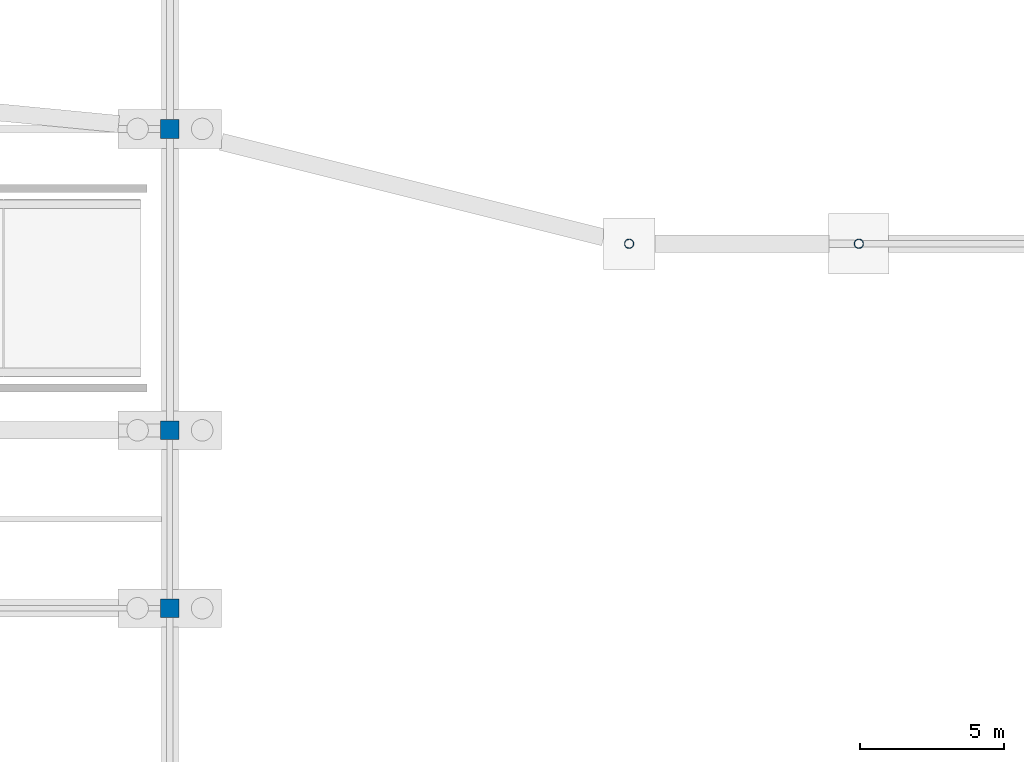
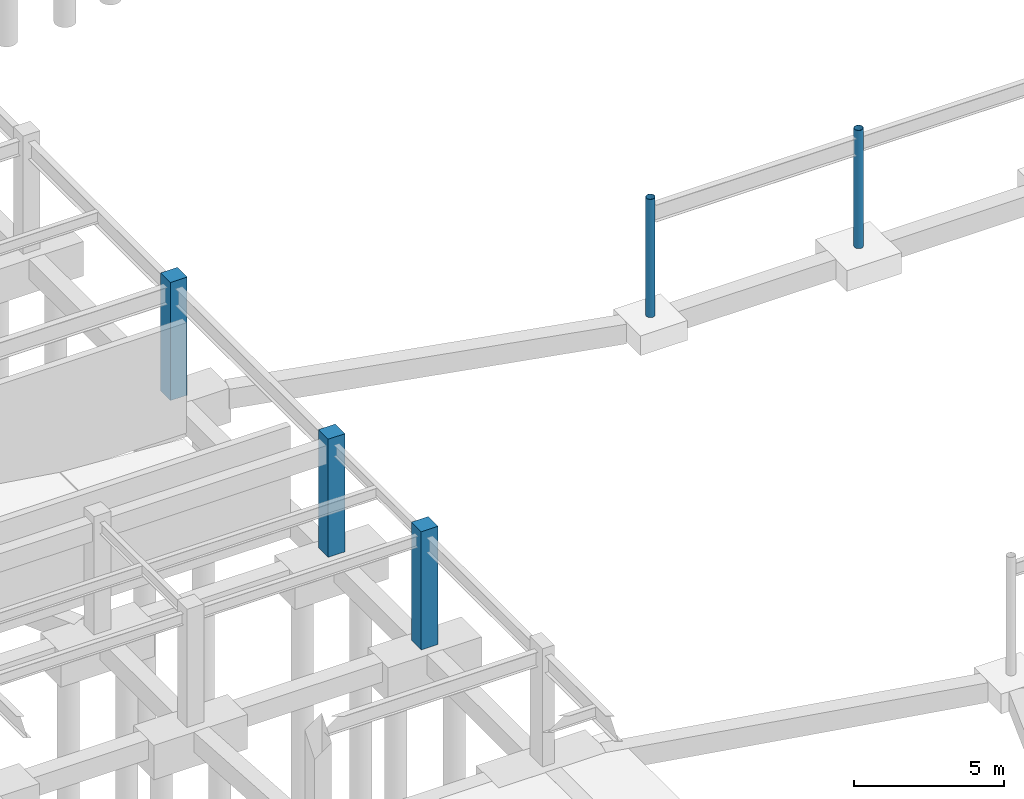
# One storey, part 11 of 68: 5 columns.
"""IFC4 building model written with IfcOpenShell, lengths in metres."""

import ifcopenshell
import ifcopenshell.guid

model = None  # the IFC model being written
_history = None  # IfcOwnerHistory: only IFC2X3 demands one
_inside = {}  # id of a spatial element -> (the spatial element, [elements in it])
_under = {}  # id of a project, library or spatial element -> (it, [spatial elements below it])
_declared = {}  # id of a project -> (the project, [libraries it declares])
_typed = {}  # id of a type object -> (the type object, [elements of that type])
_made_of = {}  # id of a material, layer set ... -> (it, [elements and type objects made of it])


def new_model(schema):
    """Start an empty IFC model of exactly this schema.

    Asked for "IFC4X3", IfcOpenShell would pick the latest addendum, in which some entities
    have other attributes; the version numbers below select the first issue.
    IFC2X3 requires an IfcOwnerHistory on every rooted entity: one is made here for all.
    """
    global model, _history
    if schema == "IFC4X3":
        model = ifcopenshell.file(schema_version=(4, 3, 0, 0))
    else:
        model = ifcopenshell.file(schema=schema)
    _inside.clear()
    _under.clear()
    _declared.clear()
    _typed.clear()
    _made_of.clear()
    _history = None
    if model.schema == "IFC2X3":
        org = make("IfcOrganization", Name="unknown")
        user = make(
            "IfcPersonAndOrganization",
            ThePerson=make("IfcPerson", FamilyName="unknown"),
            TheOrganization=org,
        )
        app = make(
            "IfcApplication",
            ApplicationDeveloper=org,
            Version="unknown",
            ApplicationFullName="unknown",
            ApplicationIdentifier="unknown",
        )
        _history = make(
            "IfcOwnerHistory",
            OwningUser=user,
            OwningApplication=app,
            ChangeAction="ADDED",
            CreationDate=0,
        )
    return model


def make(cls, **values):
    """One entity of the class cls with the attributes given. An attribute that is None is left unset."""
    return model.create_entity(
        cls, **{name: value for name, value in values.items() if value is not None}
    )


def rooted(cls, **values):
    """An entity with a GlobalId (a new one), such as an element, a storey or a relation."""
    return make(cls, GlobalId=ifcopenshell.guid.new(), OwnerHistory=_history, **values)


def si_unit(unit_type, name, prefix=None):
    """IfcSIUnit, for example si_unit("LENGTHUNIT", "METRE", prefix="MILLI")."""
    return make("IfcSIUnit", UnitType=unit_type, Prefix=prefix, Name=name)


def assignment(units):
    """IfcUnitAssignment: the units of a project."""
    return None if units is None else make("IfcUnitAssignment", Units=units)


def point(xyz):
    """IfcCartesianPoint."""
    return None if xyz is None else make("IfcCartesianPoint", Coordinates=xyz)


def direction(xyz):
    """IfcDirection."""
    return None if xyz is None else make("IfcDirection", DirectionRatios=xyz)


def frame(location, z_axis=None, x_axis=None):
    """IfcAxis2Placement3D, a coordinate frame: its origin and axes. An axis left out is left unset."""
    return make(
        "IfcAxis2Placement3D",
        Location=point(location),
        Axis=direction(z_axis),
        RefDirection=direction(x_axis),
    )


def frame_2d(location, x_axis=None):
    """IfcAxis2Placement2D, a coordinate frame in the plane: its origin and x axis."""
    return make(
        "IfcAxis2Placement2D", Location=point(location), RefDirection=direction(x_axis)
    )


def origin():
    """The frame at (0, 0, 0) with its axes left unset."""
    return frame((0.0, 0.0, 0.0))


def origin_2d():
    """The frame at (0, 0) in the plane with its x axis left unset."""
    return frame_2d((0.0, 0.0))


def place(relative_to, where):
    """IfcLocalPlacement: puts the frame where relative to a parent placement (None: the world)."""
    return make(
        "IfcLocalPlacement", PlacementRelTo=relative_to, RelativePlacement=where
    )


def context(
    kind, dimensions, precision=None, world=None, true_north=None, identifier=None
):
    """IfcGeometricRepresentationContext, for example the 3D "Model" context."""
    return make(
        "IfcGeometricRepresentationContext",
        ContextIdentifier=identifier,
        ContextType=kind,
        CoordinateSpaceDimension=dimensions,
        Precision=precision,
        WorldCoordinateSystem=world,
        TrueNorth=true_north,
    )


def subcontext(parent, identifier, kind, view, scale=None):
    """IfcGeometricRepresentationSubContext, for example "Body" below "Model"."""
    return make(
        "IfcGeometricRepresentationSubContext",
        ContextIdentifier=identifier,
        ContextType=kind,
        ParentContext=parent,
        TargetScale=scale,
        TargetView=view,
    )


def project(units=None, contexts=None):
    """IfcProject with its units and contexts."""
    return rooted(
        "IfcProject",
        Name="project",
        RepresentationContexts=contexts,
        UnitsInContext=assignment(units),
    )


def spatial(cls, under=None, at=None, **own):
    """A site, building, storey or space (cls), placed at a placement, below another one or the project."""
    s = rooted(cls, ObjectPlacement=at, **own)
    if under is not None:
        _under.setdefault(under.id(), (under, []))[1].append(s)
    return s


def profile(cls, at=None, kind="AREA", **sizes):
    """A parametric profile (cls). Its sizes go by their IFC names, for example OverallWidth=200.0."""
    return make(cls, ProfileType=kind, Position=at, **sizes)


def rectangle(**sizes):
    """IfcRectangleProfileDef."""
    return profile("IfcRectangleProfileDef", **sizes)


def hollow_circle(**sizes):
    """IfcCircleHollowProfileDef."""
    return profile("IfcCircleHollowProfileDef", **sizes)


def extrude(swept, where, along, depth):
    """IfcExtrudedAreaSolid: the profile swept, set in the frame where, extruded along a direction by depth."""
    return make(
        "IfcExtrudedAreaSolid",
        SweptArea=swept,
        Position=where,
        ExtrudedDirection=direction(along),
        Depth=depth,
    )


def shape(context_of_items, identifier, shape_type, items):
    """IfcShapeRepresentation: the items that make up one representation, for example the "Body"."""
    return make(
        "IfcShapeRepresentation",
        ContextOfItems=context_of_items,
        RepresentationIdentifier=identifier,
        RepresentationType=shape_type,
        Items=items,
    )


def material(Name=None, Category=None):
    """IfcMaterial."""
    return make("IfcMaterial", Name=Name, Category=Category)


def material_profile(
    of_material, cross_section, Name=None, Category=None, Priority=None
):
    """IfcMaterialProfile: a cross section and its material."""
    return make(
        "IfcMaterialProfile",
        Name=Name,
        Material=of_material,
        Profile=cross_section,
        Priority=Priority,
        Category=Category,
    )


def profile_set(profiles, Name=None, composite=None):
    """IfcMaterialProfileSet."""
    return make(
        "IfcMaterialProfileSet",
        Name=Name,
        MaterialProfiles=profiles,
        CompositeProfile=composite,
    )


def made_of(thing, what):
    """Note that an element or type object is made of a material, layer set ...; save() writes the relation."""
    if what is not None:
        _made_of.setdefault(what.id(), (what, []))[1].append(thing)
    return thing


def type_object(cls, material=None, **own):
    """A type object (cls), such as IfcWallType, which elements share."""
    return made_of(rooted(cls, **own), material)


def element(
    cls,
    number,
    at=None,
    inside=None,
    cuts=None,
    type_object=None,
    material=None,
    context=None,
    identifier="Body",
    shape_type=None,
    held_by="IfcProductDefinitionShape",
    body=None,
    shapes=None,
    **own,
):
    """One element of the class cls, such as IfcWall. Its Tag is "e" and its number.

    at: its placement. inside: the storey or other place that contains it. cuts: it is an
    opening in that element (IfcRelVoidsElement). A single representation is given by context,
    identifier, shape_type and body (its items); several are given by shapes. held_by: the class
    of the entity that holds the representations. save() writes the other relations.
    """
    e = rooted(cls, Tag="e%d" % number, ObjectPlacement=at, **own)
    if body is not None:
        shapes = [shape(context, identifier, shape_type, body)]
    if shapes is not None:
        e.Representation = make(held_by, Representations=shapes)
    if inside is not None:
        _inside.setdefault(inside.id(), (inside, []))[1].append(e)
    if cuts is not None:
        rooted(
            "IfcRelVoidsElement", RelatingBuildingElement=cuts, RelatedOpeningElement=e
        )
    if type_object is not None:
        _typed.setdefault(type_object.id(), (type_object, []))[1].append(e)
    return made_of(e, material)


def aggregate(whole, parts):
    """IfcRelAggregates: a whole, such as a stair, and the parts it consists of."""
    return rooted("IfcRelAggregates", RelatingObject=whole, RelatedObjects=parts)


def save(model, path):
    """Write the relations noted so far, then the file.

    IfcRelAggregates (storeys below a building ...), IfcRelContainedInSpatialStructure (elements
    in a storey), IfcRelDefinesByType, IfcRelAssociatesMaterial and IfcRelDeclares: one each for
    every whole, place, type object, material and project.
    """
    for whole, parts in _under.values():
        aggregate(whole, parts)
    for where, things in _inside.values():
        rooted(
            "IfcRelContainedInSpatialStructure",
            RelatedElements=things,
            RelatingStructure=where,
        )
    for kind, things in _typed.values():
        rooted("IfcRelDefinesByType", RelatedObjects=things, RelatingType=kind)
    for what, things in _made_of.values():
        rooted("IfcRelAssociatesMaterial", RelatedObjects=things, RelatingMaterial=what)
    for by, libraries in _declared.values():
        rooted("IfcRelDeclares", RelatingContext=by, RelatedDefinitions=libraries)
    model.write(path)


model = new_model("IFC4")

# Units and contexts
model_context = context("Model", 3, precision=1e-05, world=origin(), true_north=direction((0.0, 1.0)))
body_context = subcontext(model_context, "Body", "Model", "MODEL_VIEW")
ifc_project = project(units=[si_unit("LENGTHUNIT", "METRE"), si_unit("AREAUNIT", "SQUARE_METRE"), si_unit("VOLUMEUNIT", "CUBIC_METRE"), si_unit("PLANEANGLEUNIT", "RADIAN"), si_unit("MASSUNIT", "GRAM", prefix="KILO")], contexts=[model_context])

# Site, building, storey
site_placement = place(None, origin())
site = spatial("IfcSite", under=ifc_project, at=site_placement, CompositionType="ELEMENT")
building_placement = place(site_placement, origin())
building = spatial("IfcBuilding", under=site, at=building_placement, Name="Cinderbank Siding Concert Hall", CompositionType="ELEMENT")
storey_placement = place(building_placement, frame((0.0, 0.0, -4.800048828125)))
storey = spatial("IfcBuildingStorey", under=building, at=storey_placement, Name="B1", CompositionType="ELEMENT", Elevation=-4.800048828125)

# Columns
ifc_material_1 = material(Name="Structural steel hollow section AS/NZS 1163 Grade C350L0 (350 MPa)", Category="steel")
ifc_material_profile_1 = material_profile(ifc_material_1, hollow_circle(Radius=0.161865234375, WallThickness=0.0126953125, at=origin_2d()), Name="323.9x12.7CHS", Category="LoadBearing")
ifc_profile_set_1 = profile_set([ifc_material_profile_1], Name="Structural steel hollow section AS/NZS 1163 Grade C350L0 (350 MPa)")
column_type_1 = type_object("IfcColumnType", Name="C-CHS323 323.9x12.7CHS", PredefinedType="COLUMN", material=ifc_profile_set_1)
for number, where, z_axis, x_axis, name in (
    (1, (62.0, 56.0, 0.0), (0.0, 0.0, 1.0), (1.0, 0.0, 0.0), "B1 Column COL-PAD-04"),
    (2, (70.0, 56.0, 0.0), (0.0, 0.0, 1.0), (1.0, 0.0, 0.0), "B1 Column COL-PAD-05"),
):
    element("IfcColumn", number, at=place(storey_placement, frame(where, z_axis=z_axis, x_axis=x_axis)), inside=storey, type_object=column_type_1, Name=name, PredefinedType="COLUMN", context=body_context, shape_type="SweptSolid", body=[
        extrude(hollow_circle(Radius=0.161865234375, WallThickness=0.0126953125, at=origin_2d()), origin(), (0.0, 0.0, 1.0), 4.800048828125),
    ])
ifc_material_2 = material(Name="Reinforced concrete AS 3600 N50 (50 MPa)", Category="concrete")
ifc_material_profile_2 = material_profile(ifc_material_2, rectangle(XDim=0.64990234375, YDim=0.64990234375, at=origin_2d()), Name="RC-COL-650x650", Category="LoadBearing")
ifc_profile_set_2 = profile_set([ifc_material_profile_2], Name="Reinforced concrete AS 3600 N50 (50 MPa)")
column_type_2 = type_object("IfcColumnType", Name="C-RC650 RC-COL-650x650", PredefinedType="COLUMN", material=ifc_profile_set_2)
for number, where, z_axis, x_axis, name in (
    (3, (46.0, 43.300048828125, 0.0), (0.0, 0.0, 1.0), (1.0, 0.0, 0.0), "B1 Column COL-WL-6-1"),
    (4, (46.0, 49.5, 0.0), (0.0, 0.0, 1.0), (1.0, 0.0, 0.0), "B1 Column COL-WL-6-2"),
    (5, (46.0, 60.0, 0.0), (0.0, 0.0, 1.0), (1.0, 0.0, 0.0), "B1 Column COL-WL-6-3"),
):
    element("IfcColumn", number, at=place(storey_placement, frame(where, z_axis=z_axis, x_axis=x_axis)), inside=storey, type_object=column_type_2, Name=name, PredefinedType="COLUMN", context=body_context, shape_type="SweptSolid", body=[
        extrude(rectangle(XDim=0.64990234375, YDim=0.64990234375, at=origin_2d()), origin(), (0.0, 0.0, 1.0), 4.800048828125),
    ])

save(model, "model.ifc")
